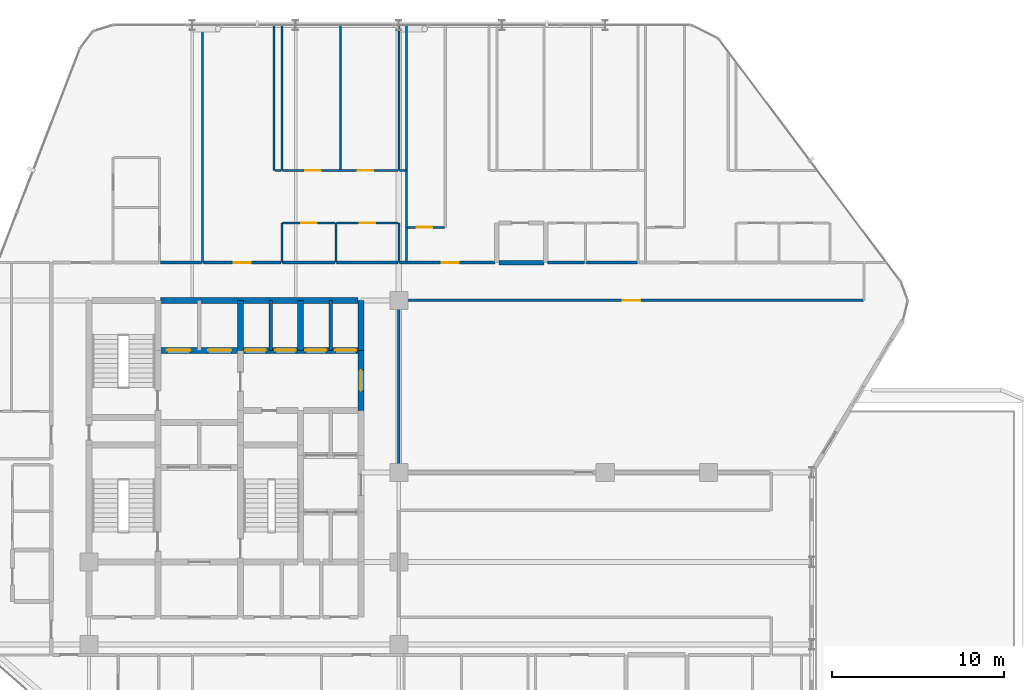
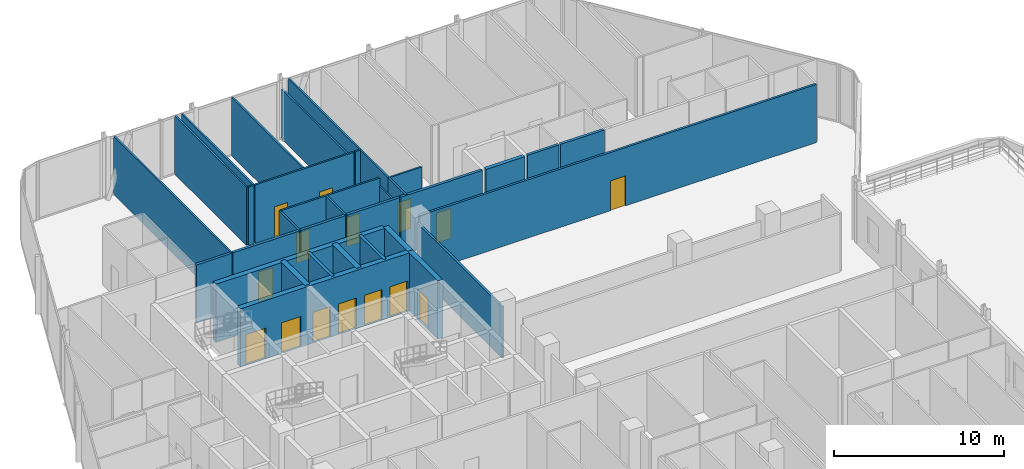
# One storey, part 26 of 30: 35 walls, 15 doors, 15 openings.
"""IFC4 building model written with IfcOpenShell, lengths in metres."""

from ifc_helpers import new_model, si_unit, direction, frame, frame_2d, origin, place, context, subcontext, project, spatial, rectangle, extrude, material, layer, layer_set, type_object, element, fill, save


model = new_model("IFC4")

# Units and contexts
model_context = context("Model", 3, precision=1e-05, world=origin(), true_north=direction((0.0, 1.0)))
body_context = subcontext(model_context, "Body", "Model", "MODEL_VIEW")
ifc_project = project(units=[si_unit("LENGTHUNIT", "METRE"), si_unit("AREAUNIT", "SQUARE_METRE"), si_unit("VOLUMEUNIT", "CUBIC_METRE"), si_unit("PLANEANGLEUNIT", "RADIAN"), si_unit("MASSUNIT", "GRAM", prefix="KILO")], contexts=[model_context])

# Site, building, storey
site_placement = place(None, origin())
site = spatial("IfcSite", under=ifc_project, at=site_placement, CompositionType="ELEMENT")
building_placement = place(site_placement, origin())
building = spatial("IfcBuilding", under=site, at=building_placement, Name="Keshet Zoharim Tower", CompositionType="ELEMENT")
storey_placement = place(building_placement, frame((0.0, 0.0, 86.39990234375)))
storey = spatial("IfcBuildingStorey", under=building, at=storey_placement, Name="L20", CompositionType="ELEMENT", Elevation=86.39990234375)

# Wall
ifc_material_1 = material(Name="Gypsum Plasterboard", Category="gypsum")
ifc_layer_1 = layer(ifc_material_1, 0.14990234375)
ifc_layer_set_1 = layer_set([ifc_layer_1], Name="Gypsum Plasterboard")
wall_type_1 = type_object("IfcWallType", Name="WL-CLIN-150", PredefinedType="STANDARD", material=ifc_layer_set_1)
wall_1_placement = place(storey_placement, frame((33.0, 27.909912109375, 0.0), z_axis=(0.0, 0.0, 1.0), x_axis=(0.0, 1.0, 0.0)))
element("IfcWall", 1, at=wall_1_placement, inside=storey, type_object=wall_type_1, Name="L20 Interior Wall 068", PredefinedType="STANDARD", context=body_context, shape_type="SweptSolid", body=[
    extrude(rectangle(XDim=9.97998046875, YDim=0.14990234375, at=frame_2d((4.989990234375, 0.0))), origin(), (0.0, 0.0, 1.0), 3.68505859375),
])

# Wall, opening, door
wall_2_placement = place(storey_placement, frame((33.070068359375, 37.89990234375, 0.0), z_axis=(0.0, 0.0, 1.0), x_axis=(1.0, 0.0, 0.0)))
wall_2 = element("IfcWall", 2, at=wall_2_placement, inside=storey, type_object=wall_type_1, Name="L20 Interior Wall 181", PredefinedType="STANDARD", context=body_context, shape_type="SweptSolid", body=[
    extrude(rectangle(XDim=26.934814453125, YDim=0.14990234375, at=frame_2d((13.46728515625, 0.0))), origin(), (0.0, 0.0, 1.0), 4.18505859375),
])
opening_1_placement = place(wall_2_placement, frame((12.9599609375, 0.0, 0.0)))
opening_1 = element("IfcOpeningElement", 3, at=opening_1_placement, cuts=wall_2, Name="Opening D-F310", PredefinedType="OPENING", context=body_context, shape_type="SweptSolid", body=[
    extrude(rectangle(XDim=1.0, YDim=2.14990234375, at=frame_2d((0.5, 1.074951171875))), frame((0.0, 0.0849609375, 0.0), z_axis=(0.0, -1.0, 0.0), x_axis=(1.0, 0.0, 0.0)), (0.0, 0.0, 1.0), 0.169921875),
])
ifc_material_2 = material(Name="Hardwood Timber", Category="wood")
door_type_1 = type_object("IfcDoorType", Name="DR-FD30-100", OperationType="NOTDEFINED", PredefinedType="DOOR", material=ifc_material_2)
door_1_placement = place(opening_1_placement, origin())
door_1 = element("IfcDoor", 4, at=door_1_placement, inside=storey, type_object=door_type_1, Name="L20 North East Residents Services Suite Door 1", OperationType="SINGLE_SWING_RIGHT", OverallHeight=2.14990234375, OverallWidth=1.0, PredefinedType="DOOR", context=body_context, shape_type="SweptSolid", body=[
    extrude(rectangle(XDim=1.0, YDim=2.14990234375, at=frame_2d((0.5, 1.074951171875))), frame((0.0, 0.02490234375, 0.0), z_axis=(0.0, -1.0, 0.0), x_axis=(1.0, 0.0, 0.0)), (0.0, 0.0, 1.0), 0.050048828125),
])
fill(opening_1, door_1)

# Walls
ifc_material_3 = material(Name="Concrete C60/75", Category="concrete")
ifc_layer_2 = layer(ifc_material_3, 0.35009765625)
ifc_layer_set_2 = layer_set([ifc_layer_2], Name="Concrete C60/75")
wall_type_2 = type_object("IfcWallType", Name="WL-CORE-350", PredefinedType="SHEAR", material=ifc_layer_set_2)
for number, where, z_axis, x_axis, name in (
    (5, (23.800048828125, 35.0, 0.0), (0.0, 0.0, 1.0), (0.0, 1.0, 0.0), "L20 Core Shear Wall 040"),
    (6, (27.300048828125, 35.0, 0.0), (0.0, 0.0, 1.0), (0.0, 1.0, 0.0), "L20 Core Shear Wall 050"),
):
    element("IfcWall", number, at=place(storey_placement, frame(where, z_axis=z_axis, x_axis=x_axis)), inside=storey, type_object=wall_type_2, Name=name, PredefinedType="SHEAR", context=body_context, shape_type="SweptSolid", body=[
        extrude(rectangle(XDim=2.89990234375, YDim=0.35009765625, at=frame_2d((1.449951171875, 0.0))), origin(), (0.0, 0.0, 1.0), 4.18505859375),
    ])

# Wall, opening, door
wall_3_placement = place(storey_placement, frame((30.800048828125, 31.5, 0.0), z_axis=(0.0, 0.0, 1.0), x_axis=(0.0, 1.0, 0.0)))
wall_3 = element("IfcWall", 7, at=wall_3_placement, inside=storey, type_object=wall_type_2, Name="L20 Core Shear Wall 064", PredefinedType="SHEAR", context=body_context, shape_type="SweptSolid", body=[
    extrude(rectangle(XDim=3.5, YDim=0.35009765625, at=frame_2d((1.75, 0.0))), origin(), (0.0, 0.0, 1.0), 4.18505859375),
])
opening_2_placement = place(wall_3_placement, frame((1.14990234375, 0.0, 0.0)))
opening_2 = element("IfcOpeningElement", 8, at=opening_2_placement, cuts=wall_3, Name="Opening D-F612", PredefinedType="OPENING", context=body_context, shape_type="SweptSolid", body=[
    extrude(rectangle(XDim=1.199951171875, YDim=2.199951171875, at=frame_2d((0.60009765625, 1.10009765625))), frame((0.0, 0.18505859375, 0.0), z_axis=(0.0, -1.0, 0.0), x_axis=(1.0, 0.0, 0.0)), (0.0, 0.0, 1.0), 0.3701171875),
])
door_type_2 = type_object("IfcDoorType", Name="DR-FD60-120", OperationType="NOTDEFINED", PredefinedType="DOOR", material=ifc_material_2)
door_2_placement = place(opening_2_placement, origin())
door_2 = element("IfcDoor", 9, at=door_2_placement, inside=storey, type_object=door_type_2, Name="L20 North Lift Lobby East Fire Door", OperationType="SINGLE_SWING_LEFT", OverallHeight=2.199951171875, OverallWidth=1.199951171875, PredefinedType="DOOR", context=body_context, shape_type="SweptSolid", body=[
    extrude(rectangle(XDim=1.199951171875, YDim=2.199951171875, at=frame_2d((0.60009765625, 1.10009765625))), frame((0.0, 0.02490234375, 0.0), z_axis=(0.0, -1.0, 0.0), x_axis=(1.0, 0.0, 0.0)), (0.0, 0.0, 1.0), 0.050048828125),
])
fill(opening_2, door_2)

# Wall
wall_4_placement = place(storey_placement, frame((30.800048828125, 35.0, 0.0), z_axis=(0.0, 0.0, 1.0), x_axis=(0.0, 1.0, 0.0)))
element("IfcWall", 10, at=wall_4_placement, inside=storey, type_object=wall_type_2, Name="L20 Core Shear Wall 065", PredefinedType="SHEAR", context=body_context, shape_type="SweptSolid", body=[
    extrude(rectangle(XDim=2.89990234375, YDim=0.35009765625, at=frame_2d((1.449951171875, 0.0))), origin(), (0.0, 0.0, 1.0), 4.18505859375),
])

# Wall, openings, doors
wall_5_placement = place(storey_placement, frame((19.159912109375, 35.0, 0.0), z_axis=(0.0, 0.0, 1.0), x_axis=(1.0, 0.0, 0.0)))
wall_5 = element("IfcWall", 11, at=wall_5_placement, inside=storey, type_object=wall_type_2, Name="L20 Core Shear Wall 178", PredefinedType="SHEAR", context=body_context, shape_type="SweptSolid", body=[
    extrude(rectangle(XDim=11.47998046875, YDim=0.35009765625, at=frame_2d((5.739990234375, 0.0))), origin(), (0.0, 0.0, 1.0), 4.18505859375),
])
opening_3_placement = place(wall_5_placement, frame((0.364990234375, 0.0, 0.0)))
opening_3 = element("IfcOpeningElement", 12, at=opening_3_placement, cuts=wall_5, Name="Opening LD-02", PredefinedType="OPENING", context=body_context, shape_type="SweptSolid", body=[
    extrude(rectangle(XDim=1.35009765625, YDim=2.199951171875, at=frame_2d((0.675048828125, 1.10009765625))), frame((0.0, 0.18505859375, 0.0), z_axis=(0.0, -1.0, 0.0), x_axis=(1.0, 0.0, 0.0)), (0.0, 0.0, 1.0), 0.3701171875),
])
opening_4_placement = place(wall_5_placement, frame((2.764892578125, 0.0, 0.0)))
opening_4 = element("IfcOpeningElement", 13, at=opening_4_placement, cuts=wall_5, Name="Opening LD-02", PredefinedType="OPENING", context=body_context, shape_type="SweptSolid", body=[
    extrude(rectangle(XDim=1.35009765625, YDim=2.199951171875, at=frame_2d((0.675048828125, 1.10009765625))), frame((0.0, 0.18505859375, 0.0), z_axis=(0.0, -1.0, 0.0), x_axis=(1.0, 0.0, 0.0)), (0.0, 0.0, 1.0), 0.3701171875),
])
opening_5_placement = place(wall_5_placement, frame((4.9150390625, 0.0, 0.0)))
opening_5 = element("IfcOpeningElement", 14, at=opening_5_placement, cuts=wall_5, Name="Opening LD-03", PredefinedType="OPENING", context=body_context, shape_type="SweptSolid", body=[
    extrude(rectangle(XDim=1.199951171875, YDim=2.199951171875, at=frame_2d((0.60009765625, 1.10009765625))), frame((0.0, 0.18505859375, 0.0), z_axis=(0.0, -1.0, 0.0), x_axis=(1.0, 0.0, 0.0)), (0.0, 0.0, 1.0), 0.3701171875),
])
opening_6_placement = place(wall_5_placement, frame((6.6650390625, 0.0, 0.0)))
opening_6 = element("IfcOpeningElement", 15, at=opening_6_placement, cuts=wall_5, Name="Opening LD-03", PredefinedType="OPENING", context=body_context, shape_type="SweptSolid", body=[
    extrude(rectangle(XDim=1.199951171875, YDim=2.199951171875, at=frame_2d((0.60009765625, 1.10009765625))), frame((0.0, 0.18505859375, 0.0), z_axis=(0.0, -1.0, 0.0), x_axis=(1.0, 0.0, 0.0)), (0.0, 0.0, 1.0), 0.3701171875),
])
opening_7_placement = place(wall_5_placement, frame((8.4150390625, 0.0, 0.0)))
opening_7 = element("IfcOpeningElement", 16, at=opening_7_placement, cuts=wall_5, Name="Opening LD-03", PredefinedType="OPENING", context=body_context, shape_type="SweptSolid", body=[
    extrude(rectangle(XDim=1.199951171875, YDim=2.199951171875, at=frame_2d((0.60009765625, 1.10009765625))), frame((0.0, 0.18505859375, 0.0), z_axis=(0.0, -1.0, 0.0), x_axis=(1.0, 0.0, 0.0)), (0.0, 0.0, 1.0), 0.3701171875),
])
opening_8_placement = place(wall_5_placement, frame((10.159912109375, 0.0, 0.0)))
opening_8 = element("IfcOpeningElement", 17, at=opening_8_placement, cuts=wall_5, Name="Opening LD-03", PredefinedType="OPENING", context=body_context, shape_type="SweptSolid", body=[
    extrude(rectangle(XDim=1.199951171875, YDim=2.199951171875, at=frame_2d((0.60009765625, 1.10009765625))), frame((0.0, 0.18505859375, 0.0), z_axis=(0.0, -1.0, 0.0), x_axis=(1.0, 0.0, 0.0)), (0.0, 0.0, 1.0), 0.3701171875),
])
ifc_material_4 = material(Name="Steel S355", Category="steel")
door_type_3 = type_object("IfcDoorType", Name="DR-LD02-135", OperationType="DOUBLE_DOOR_SLIDING", PredefinedType="DOOR", material=ifc_material_4)
door_3_placement = place(opening_3_placement, origin())
door_3 = element("IfcDoor", 18, at=door_3_placement, inside=storey, type_object=door_type_3, Name="L20 Firefighting Lift Landing Door FF-01", OperationType="DOUBLE_DOOR_SLIDING", OverallHeight=2.199951171875, OverallWidth=1.35009765625, PredefinedType="DOOR", context=body_context, shape_type="SweptSolid", body=[
    extrude(rectangle(XDim=1.35009765625, YDim=2.199951171875, at=frame_2d((0.675048828125, 1.10009765625))), frame((0.0, 0.02490234375, 0.0), z_axis=(0.0, -1.0, 0.0), x_axis=(1.0, 0.0, 0.0)), (0.0, 0.0, 1.0), 0.050048828125),
])
fill(opening_3, door_3)
door_4_placement = place(opening_4_placement, origin())
door_4 = element("IfcDoor", 19, at=door_4_placement, inside=storey, type_object=door_type_3, Name="L20 Firefighting Lift Landing Door FF-02", OperationType="DOUBLE_DOOR_SLIDING", OverallHeight=2.199951171875, OverallWidth=1.35009765625, PredefinedType="DOOR", context=body_context, shape_type="SweptSolid", body=[
    extrude(rectangle(XDim=1.35009765625, YDim=2.199951171875, at=frame_2d((0.675048828125, 1.10009765625))), frame((0.0, 0.02490234375, 0.0), z_axis=(0.0, -1.0, 0.0), x_axis=(1.0, 0.0, 0.0)), (0.0, 0.0, 1.0), 0.050048828125),
])
fill(opening_4, door_4)
door_type_4 = type_object("IfcDoorType", Name="DR-LD03-120", OperationType="DOUBLE_DOOR_SLIDING", PredefinedType="DOOR", material=ifc_material_4)
door_5_placement = place(opening_5_placement, origin())
door_5 = element("IfcDoor", 20, at=door_5_placement, inside=storey, type_object=door_type_4, Name="L20 Passenger Lift Landing Door LF-01", OperationType="DOUBLE_DOOR_SLIDING", OverallHeight=2.199951171875, OverallWidth=1.199951171875, PredefinedType="DOOR", context=body_context, shape_type="SweptSolid", body=[
    extrude(rectangle(XDim=1.199951171875, YDim=2.199951171875, at=frame_2d((0.60009765625, 1.10009765625))), frame((0.0, 0.02490234375, 0.0), z_axis=(0.0, -1.0, 0.0), x_axis=(1.0, 0.0, 0.0)), (0.0, 0.0, 1.0), 0.050048828125),
])
fill(opening_5, door_5)
door_6_placement = place(opening_6_placement, origin())
door_6 = element("IfcDoor", 21, at=door_6_placement, inside=storey, type_object=door_type_4, Name="L20 Passenger Lift Landing Door LF-02", OperationType="DOUBLE_DOOR_SLIDING", OverallHeight=2.199951171875, OverallWidth=1.199951171875, PredefinedType="DOOR", context=body_context, shape_type="SweptSolid", body=[
    extrude(rectangle(XDim=1.199951171875, YDim=2.199951171875, at=frame_2d((0.60009765625, 1.10009765625))), frame((0.0, 0.02490234375, 0.0), z_axis=(0.0, -1.0, 0.0), x_axis=(1.0, 0.0, 0.0)), (0.0, 0.0, 1.0), 0.050048828125),
])
fill(opening_6, door_6)
door_7_placement = place(opening_7_placement, origin())
door_7 = element("IfcDoor", 22, at=door_7_placement, inside=storey, type_object=door_type_4, Name="L20 Passenger Lift Landing Door LF-03", OperationType="DOUBLE_DOOR_SLIDING", OverallHeight=2.199951171875, OverallWidth=1.199951171875, PredefinedType="DOOR", context=body_context, shape_type="SweptSolid", body=[
    extrude(rectangle(XDim=1.199951171875, YDim=2.199951171875, at=frame_2d((0.60009765625, 1.10009765625))), frame((0.0, 0.02490234375, 0.0), z_axis=(0.0, -1.0, 0.0), x_axis=(1.0, 0.0, 0.0)), (0.0, 0.0, 1.0), 0.050048828125),
])
fill(opening_7, door_7)
door_8_placement = place(opening_8_placement, origin())
door_8 = element("IfcDoor", 23, at=door_8_placement, inside=storey, type_object=door_type_4, Name="L20 Passenger Lift Landing Door LF-04", OperationType="DOUBLE_DOOR_SLIDING", OverallHeight=2.199951171875, OverallWidth=1.199951171875, PredefinedType="DOOR", context=body_context, shape_type="SweptSolid", body=[
    extrude(rectangle(XDim=1.199951171875, YDim=2.199951171875, at=frame_2d((0.60009765625, 1.10009765625))), frame((0.0, 0.02490234375, 0.0), z_axis=(0.0, -1.0, 0.0), x_axis=(1.0, 0.0, 0.0)), (0.0, 0.0, 1.0), 0.050048828125),
])
fill(opening_8, door_8)

# Walls
wall_6_placement = place(storey_placement, frame((19.159912109375, 37.89990234375, 0.0), z_axis=(0.0, 0.0, 1.0), x_axis=(1.0, 0.0, 0.0)))
element("IfcWall", 24, at=wall_6_placement, inside=storey, type_object=wall_type_2, Name="L20 Core Shear Wall 180", PredefinedType="SHEAR", context=body_context, shape_type="SweptSolid", body=[
    extrude(rectangle(XDim=11.47998046875, YDim=0.35009765625, at=frame_2d((5.739990234375, 0.0))), origin(), (0.0, 0.0, 1.0), 4.18505859375),
])
ifc_layer_3 = layer(ifc_material_1, 0.179931640625)
ifc_layer_set_3 = layer_set([ifc_layer_3], Name="Gypsum Plasterboard")
wall_type_3 = type_object("IfcWallType", Name="WL-CORR-180", PredefinedType="STANDARD", material=ifc_layer_set_3)
wall_7_placement = place(storey_placement, frame((19.155029296875, 40.10009765625, 0.0), z_axis=(0.0, 0.0, 1.0), x_axis=(1.0, 0.0, 0.0)))
element("IfcWall", 25, at=wall_7_placement, inside=storey, type_object=wall_type_3, Name="L20 Interior Wall 186", PredefinedType="STANDARD", context=body_context, shape_type="SweptSolid", body=[
    extrude(rectangle(XDim=2.409912109375, YDim=0.179931640625, at=frame_2d((1.205078125, 0.0))), origin(), (0.0, 0.0, 1.0), 4.18505859375),
])

# Wall, opening, door
wall_8_placement = place(storey_placement, frame((21.655029296875, 40.10009765625, 0.0), z_axis=(0.0, 0.0, 1.0), x_axis=(1.0, 0.0, 0.0)))
wall_8 = element("IfcWall", 26, at=wall_8_placement, inside=storey, type_object=wall_type_3, Name="L20 Interior Wall 187", PredefinedType="STANDARD", context=body_context, shape_type="SweptSolid", body=[
    extrude(rectangle(XDim=4.510009765625, YDim=0.179931640625, at=frame_2d((2.2548828125, 0.0))), origin(), (0.0, 0.0, 1.0), 4.18505859375),
])
opening_9_placement = place(wall_8_placement, frame((1.7548828125, 0.0, 0.0)))
opening_9 = element("IfcOpeningElement", 27, at=opening_9_placement, cuts=wall_8, Name="Opening D-F310", PredefinedType="OPENING", context=body_context, shape_type="SweptSolid", body=[
    extrude(rectangle(XDim=1.0, YDim=2.14990234375, at=frame_2d((0.5, 1.074951171875))), frame((0.0, 0.10009765625, 0.0), z_axis=(0.0, -1.0, 0.0), x_axis=(1.0, 0.0, 0.0)), (0.0, 0.0, 1.0), 0.199951171875),
])
door_9_placement = place(opening_9_placement, origin())
door_9 = element("IfcDoor", 28, at=door_9_placement, inside=storey, type_object=door_type_1, Name="Apartment 2005 Entrance Door", OperationType="SINGLE_SWING_RIGHT", OverallHeight=2.14990234375, OverallWidth=1.0, PredefinedType="DOOR", context=body_context, shape_type="SweptSolid", body=[
    extrude(rectangle(XDim=1.0, YDim=2.14990234375, at=frame_2d((0.5, 1.074951171875))), frame((0.0, 0.02490234375, 0.0), z_axis=(0.0, -1.0, 0.0), x_axis=(1.0, 0.0, 0.0)), (0.0, 0.0, 1.0), 0.050048828125),
])
fill(opening_9, door_9)

# Walls
wall_9_placement = place(storey_placement, frame((26.2548828125, 40.10009765625, 0.0), z_axis=(0.0, 0.0, 1.0), x_axis=(1.0, 0.0, 0.0)))
element("IfcWall", 29, at=wall_9_placement, inside=storey, type_object=wall_type_3, Name="L20 Interior Wall 188", PredefinedType="STANDARD", context=body_context, shape_type="SweptSolid", body=[
    extrude(rectangle(XDim=3.0380859375, YDim=0.179931640625, at=frame_2d((1.51904296875, 0.0))), origin(), (0.0, 0.0, 1.0), 4.18505859375),
])
wall_10_placement = place(storey_placement, frame((29.383056640625, 40.10009765625, 0.0), z_axis=(0.0, 0.0, 1.0), x_axis=(1.0, 0.0, 0.0)))
element("IfcWall", 30, at=wall_10_placement, inside=storey, type_object=wall_type_3, Name="L20 Interior Wall 189", PredefinedType="STANDARD", context=body_context, shape_type="SweptSolid", body=[
    extrude(rectangle(XDim=3.58203125, YDim=0.179931640625, at=frame_2d((1.791015625, 0.0))), origin(), (0.0, 0.0, 1.0), 4.18505859375),
])

# Wall, opening, door
wall_11_placement = place(storey_placement, frame((33.054931640625, 40.10009765625, 0.0), z_axis=(0.0, 0.0, 1.0), x_axis=(1.0, 0.0, 0.0)))
wall_11 = element("IfcWall", 31, at=wall_11_placement, inside=storey, type_object=wall_type_3, Name="L20 Interior Wall 190", PredefinedType="STANDARD", context=body_context, shape_type="SweptSolid", body=[
    extrude(rectangle(XDim=5.545166015625, YDim=0.179931640625, at=frame_2d((2.7724609375, 0.0))), origin(), (0.0, 0.0, 1.0), 4.18505859375),
])
opening_10_placement = place(wall_11_placement, frame((2.43505859375, 0.0, 0.0)))
opening_10 = element("IfcOpeningElement", 32, at=opening_10_placement, cuts=wall_11, Name="Opening D-F310", PredefinedType="OPENING", context=body_context, shape_type="SweptSolid", body=[
    extrude(rectangle(XDim=1.0, YDim=2.14990234375, at=frame_2d((0.5, 1.074951171875))), frame((0.0, 0.10009765625, 0.0), z_axis=(0.0, -1.0, 0.0), x_axis=(1.0, 0.0, 0.0)), (0.0, 0.0, 1.0), 0.199951171875),
])
door_10_placement = place(opening_10_placement, origin())
door_10 = element("IfcDoor", 33, at=door_10_placement, inside=storey, type_object=door_type_1, Name="Apartment 2006 Entrance Door", OperationType="SINGLE_SWING_LEFT", OverallHeight=2.14990234375, OverallWidth=1.0, PredefinedType="DOOR", context=body_context, shape_type="SweptSolid", body=[
    extrude(rectangle(XDim=1.0, YDim=2.14990234375, at=frame_2d((0.5, 1.074951171875))), frame((0.0, 0.02490234375, 0.0), z_axis=(0.0, -1.0, 0.0), x_axis=(1.0, 0.0, 0.0)), (0.0, 0.0, 1.0), 0.050048828125),
])
fill(opening_10, door_10)

# Walls
wall_12_placement = place(storey_placement, frame((41.656982421875, 40.10009765625, 0.0), z_axis=(0.0, 0.0, 1.0), x_axis=(1.0, 0.0, 0.0)))
element("IfcWall", 34, at=wall_12_placement, inside=storey, type_object=wall_type_3, Name="L20 Interior Wall 192", PredefinedType="STANDARD", context=body_context, shape_type="SweptSolid", body=[
    extrude(rectangle(XDim=2.14111328125, YDim=0.179931640625, at=frame_2d((1.070556640625, 0.0))), origin(), (0.0, 0.0, 1.0), 4.18505859375),
])
wall_13_placement = place(storey_placement, frame((43.887939453125, 40.10009765625, 0.0), z_axis=(0.0, 0.0, 1.0), x_axis=(1.0, 0.0, 0.0)))
element("IfcWall", 35, at=wall_13_placement, inside=storey, type_object=wall_type_3, Name="L20 Interior Wall 193", PredefinedType="STANDARD", context=body_context, shape_type="SweptSolid", body=[
    extrude(rectangle(XDim=2.97705078125, YDim=0.179931640625, at=frame_2d((1.488525390625, 0.0))), origin(), (0.0, 0.0, 1.0), 4.18505859375),
])
ifc_material_5 = material(Name="Concrete C50/60", Category="concrete")
ifc_layer_4 = layer(ifc_material_5, 0.199951171875)
ifc_layer_set_4 = layer_set([ifc_layer_4], Name="Concrete C50/60")
wall_type_4 = type_object("IfcWallType", Name="WL-FIRE-200", PredefinedType="STANDARD", material=ifc_layer_set_4)
for number, where, z_axis, x_axis, name in (
    (36, (25.550048828125, 35.0, 0.0), (0.0, 0.0, 1.0), (0.0, 1.0, 0.0), "L20 Interior Wall 041"),
    (37, (29.050048828125, 35.0, 0.0), (0.0, 0.0, 1.0), (0.0, 1.0, 0.0), "L20 Interior Wall 056"),
):
    element("IfcWall", number, at=place(storey_placement, frame(where, z_axis=z_axis, x_axis=x_axis)), inside=storey, type_object=wall_type_4, Name=name, PredefinedType="STANDARD", context=body_context, shape_type="SweptSolid", body=[
        extrude(rectangle(XDim=2.89990234375, YDim=0.199951171875, at=frame_2d((1.449951171875, 0.0))), origin(), (0.0, 0.0, 1.0), 4.18505859375),
    ])
ifc_layer_5 = layer(ifc_material_5, 0.25)
ifc_layer_set_5 = layer_set([ifc_layer_5], Name="Concrete C50/60")
wall_type_5 = type_object("IfcWallType", Name="WL-MAMAD-250", PredefinedType="STANDARD", material=ifc_layer_set_5)
wall_14_placement = place(storey_placement, frame((38.820068359375, 40.10009765625, 0.0), z_axis=(0.0, 0.0, 1.0), x_axis=(1.0, 0.0, 0.0)))
element("IfcWall", 38, at=wall_14_placement, inside=storey, type_object=wall_type_5, Name="L20 Interior Wall 191", PredefinedType="STANDARD", context=body_context, shape_type="SweptSolid", body=[
    extrude(rectangle(XDim=2.616943359375, YDim=0.25, at=frame_2d((1.30859375, 0.0))), origin(), (0.0, 0.0, 1.0), 4.18505859375),
])
ifc_layer_6 = layer(ifc_material_1, 0.1201171875)
ifc_layer_set_6 = layer_set([ifc_layer_6], Name="Gypsum Plasterboard")
wall_type_6 = type_object("IfcWallType", Name="WL-PART-120", PredefinedType="PARTITIONING", material=ifc_layer_set_6)
wall_15_placement = place(storey_placement, frame((21.60009765625, 40.10009765625, 0.0), z_axis=(0.0, 0.0, 1.0), x_axis=(0.0, 1.0, 0.0)))
element("IfcWall", 39, at=wall_15_placement, inside=storey, type_object=wall_type_6, Name="L20 Interior Wall 033", PredefinedType="PARTITIONING", context=body_context, shape_type="SweptSolid", body=[
    extrude(rectangle(XDim=13.789794921875, YDim=0.1201171875, at=frame_2d((6.89501953125, 0.0))), origin(), (0.0, 0.0, 1.0), 4.18505859375),
])
wall_16_placement = place(storey_placement, frame((25.75, 45.449951171875, 0.0), z_axis=(0.0, 0.0, 1.0), x_axis=(0.0, 1.0, 0.0)))
element("IfcWall", 40, at=wall_16_placement, inside=storey, type_object=wall_type_6, Name="L20 Interior Wall 042", PredefinedType="PARTITIONING", context=body_context, shape_type="SweptSolid", body=[
    extrude(rectangle(XDim=8.43994140625, YDim=0.1201171875, at=frame_2d((4.219970703125, 0.0))), origin(), (0.0, 0.0, 1.0), 4.18505859375),
])
wall_17_placement = place(storey_placement, frame((26.199951171875, 40.10009765625, 0.0), z_axis=(0.0, 0.0, 1.0), x_axis=(0.0, 1.0, 0.0)))
element("IfcWall", 41, at=wall_17_placement, inside=storey, type_object=wall_type_6, Name="L20 Interior Wall 044", PredefinedType="PARTITIONING", context=body_context, shape_type="SweptSolid", body=[
    extrude(rectangle(XDim=2.2998046875, YDim=0.1201171875, at=frame_2d((1.14990234375, 0.0))), origin(), (0.0, 0.0, 1.0), 4.18505859375),
])
for number, where, z_axis, x_axis, name in (
    (42, (26.199951171875, 45.449951171875, 0.0), (0.0, 0.0, 1.0), (0.0, 1.0, 0.0), "L20 Interior Wall 045"),
    (43, (29.60009765625, 45.449951171875, 0.0), (0.0, 0.0, 1.0), (0.0, 1.0, 0.0), "L20 Interior Wall 058"),
):
    element("IfcWall", number, at=place(storey_placement, frame(where, z_axis=z_axis, x_axis=x_axis)), inside=storey, type_object=wall_type_6, Name=name, PredefinedType="PARTITIONING", context=body_context, shape_type="SweptSolid", body=[
        extrude(rectangle(XDim=8.43994140625, YDim=0.1201171875, at=frame_2d((4.219970703125, 0.0))), origin(), (0.0, 0.0, 1.0), 4.18505859375),
    ])
wall_18_placement = place(storey_placement, frame((33.0, 45.449951171875, 0.0), z_axis=(0.0, 0.0, 1.0), x_axis=(0.0, 1.0, 0.0)))
element("IfcWall", 44, at=wall_18_placement, inside=storey, type_object=wall_type_6, Name="L20 Interior Wall 070", PredefinedType="PARTITIONING", context=body_context, shape_type="SweptSolid", body=[
    extrude(rectangle(XDim=8.43994140625, YDim=0.1201171875, at=frame_2d((4.219970703125, 0.0))), origin(), (0.0, 0.0, 1.0), 3.585205078125),
])
wall_19_placement = place(storey_placement, frame((33.449951171875, 40.10009765625, 0.0), z_axis=(0.0, 0.0, 1.0), x_axis=(0.0, 1.0, 0.0)))
element("IfcWall", 45, at=wall_19_placement, inside=storey, type_object=wall_type_6, Name="L20 Interior Wall 073", PredefinedType="PARTITIONING", context=body_context, shape_type="SweptSolid", body=[
    extrude(rectangle(XDim=2.0498046875, YDim=0.1201171875, at=frame_2d((1.02490234375, 0.0))), origin(), (0.0, 0.0, 1.0), 4.18505859375),
])
wall_20_placement = place(storey_placement, frame((33.449951171875, 42.14990234375, 0.0), z_axis=(0.0, 0.0, 1.0), x_axis=(0.0, 1.0, 0.0)))
element("IfcWall", 46, at=wall_20_placement, inside=storey, type_object=wall_type_6, Name="L20 Interior Wall 074", PredefinedType="PARTITIONING", context=body_context, shape_type="SweptSolid", body=[
    extrude(rectangle(XDim=3.300048828125, YDim=0.1201171875, at=frame_2d((1.64990234375, 0.0))), origin(), (0.0, 0.0, 1.0), 4.18505859375),
])
wall_21_placement = place(storey_placement, frame((33.449951171875, 45.449951171875, 0.0), z_axis=(0.0, 0.0, 1.0), x_axis=(0.0, 1.0, 0.0)))
element("IfcWall", 47, at=wall_21_placement, inside=storey, type_object=wall_type_6, Name="L20 Interior Wall 075", PredefinedType="PARTITIONING", context=body_context, shape_type="SweptSolid", body=[
    extrude(rectangle(XDim=8.43994140625, YDim=0.1201171875, at=frame_2d((4.219970703125, 0.0))), origin(), (0.0, 0.0, 1.0), 4.18505859375),
])

# Wall, opening, door
wall_22_placement = place(storey_placement, frame((33.5048828125, 42.14990234375, 0.0), z_axis=(0.0, 0.0, 1.0), x_axis=(1.0, 0.0, 0.0)))
wall_22 = element("IfcWall", 48, at=wall_22_placement, inside=storey, type_object=wall_type_6, Name="L20 Interior Wall 200", PredefinedType="PARTITIONING", context=body_context, shape_type="SweptSolid", body=[
    extrude(rectangle(XDim=2.16015625, YDim=0.1201171875, at=frame_2d((1.080078125, 0.0))), origin(), (0.0, 0.0, 1.0), 4.18505859375),
])
opening_11_placement = place(wall_22_placement, frame((0.552978515625, 0.0, 0.0)))
opening_11 = element("IfcOpeningElement", 49, at=opening_11_placement, cuts=wall_22, Name="Opening D-IN90", PredefinedType="OPENING", context=body_context, shape_type="SweptSolid", body=[
    extrude(rectangle(XDim=0.89990234375, YDim=2.14990234375, at=frame_2d((0.449951171875, 1.074951171875))), frame((0.0, 0.070068359375, 0.0), z_axis=(0.0, -1.0, 0.0), x_axis=(1.0, 0.0, 0.0)), (0.0, 0.0, 1.0), 0.14013671875),
])
door_type_5 = type_object("IfcDoorType", Name="DR-INT-090", OperationType="NOTDEFINED", PredefinedType="DOOR", material=ifc_material_2)
door_11_placement = place(opening_11_placement, origin())
door_11 = element("IfcDoor", 50, at=door_11_placement, inside=storey, type_object=door_type_5, Name="Apartment 2006 Formal Dining Room Door", OperationType="SINGLE_SWING_LEFT", OverallHeight=2.14990234375, OverallWidth=0.89990234375, PredefinedType="DOOR", context=body_context, shape_type="SweptSolid", body=[
    extrude(rectangle(XDim=0.89990234375, YDim=2.14990234375, at=frame_2d((0.449951171875, 1.074951171875))), frame((0.0, 0.02490234375, 0.0), z_axis=(0.0, -1.0, 0.0), x_axis=(1.0, 0.0, 0.0)), (0.0, 0.0, 1.0), 0.050048828125),
])
fill(opening_11, door_11)

wall_23_placement = place(storey_placement, frame((26.2548828125, 42.39990234375, 0.0), z_axis=(0.0, 0.0, 1.0), x_axis=(1.0, 0.0, 0.0)))
wall_23 = element("IfcWall", 51, at=wall_23_placement, inside=storey, type_object=wall_type_6, Name="L20 Interior Wall 202", PredefinedType="PARTITIONING", context=body_context, shape_type="SweptSolid", body=[
    extrude(rectangle(XDim=3.0380859375, YDim=0.1201171875, at=frame_2d((1.51904296875, 0.0))), origin(), (0.0, 0.0, 1.0), 4.18505859375),
])
opening_12_placement = place(wall_23_placement, frame((1.069091796875, 0.0, 0.0)))
opening_12 = element("IfcOpeningElement", 52, at=opening_12_placement, cuts=wall_23, Name="Opening D-IN90", PredefinedType="OPENING", context=body_context, shape_type="SweptSolid", body=[
    extrude(rectangle(XDim=0.89990234375, YDim=2.14990234375, at=frame_2d((0.449951171875, 1.074951171875))), frame((0.0, 0.070068359375, 0.0), z_axis=(0.0, -1.0, 0.0), x_axis=(1.0, 0.0, 0.0)), (0.0, 0.0, 1.0), 0.14013671875),
])
door_12_placement = place(opening_12_placement, origin())
door_12 = element("IfcDoor", 53, at=door_12_placement, inside=storey, type_object=door_type_5, Name="Apartment 2005 Kitchen Door", OperationType="SINGLE_SWING_LEFT", OverallHeight=2.14990234375, OverallWidth=0.89990234375, PredefinedType="DOOR", context=body_context, shape_type="SweptSolid", body=[
    extrude(rectangle(XDim=0.89990234375, YDim=2.14990234375, at=frame_2d((0.449951171875, 1.074951171875))), frame((0.0, 0.02490234375, 0.0), z_axis=(0.0, -1.0, 0.0), x_axis=(1.0, 0.0, 0.0)), (0.0, 0.0, 1.0), 0.050048828125),
])
fill(opening_12, door_12)

# Wall
wall_24_placement = place(storey_placement, frame((25.804931640625, 45.449951171875, 0.0), z_axis=(0.0, 0.0, 1.0), x_axis=(1.0, 0.0, 0.0)))
element("IfcWall", 54, at=wall_24_placement, inside=storey, type_object=wall_type_6, Name="L20 Interior Wall 210", PredefinedType="PARTITIONING", context=body_context, shape_type="SweptSolid", body=[
    extrude(rectangle(XDim=0.360107421875, YDim=0.1201171875, at=frame_2d((0.18017578125, 0.0))), origin(), (0.0, 0.0, 1.0), 4.18505859375),
])

# Wall, openings, doors
wall_25_placement = place(storey_placement, frame((26.2548828125, 45.449951171875, 0.0), z_axis=(0.0, 0.0, 1.0), x_axis=(1.0, 0.0, 0.0)))
wall_25 = element("IfcWall", 55, at=wall_25_placement, inside=storey, type_object=wall_type_6, Name="L20 Interior Wall 211", PredefinedType="PARTITIONING", context=body_context, shape_type="SweptSolid", body=[
    extrude(rectangle(XDim=6.710205078125, YDim=0.1201171875, at=frame_2d((3.35498046875, 0.0))), origin(), (0.0, 0.0, 1.0), 4.18505859375),
])
opening_13_placement = place(wall_25_placement, frame((1.305908203125, 0.0, 0.0)))
opening_13 = element("IfcOpeningElement", 56, at=opening_13_placement, cuts=wall_25, Name="Opening D-IN90", PredefinedType="OPENING", context=body_context, shape_type="SweptSolid", body=[
    extrude(rectangle(XDim=0.89990234375, YDim=2.14990234375, at=frame_2d((0.449951171875, 1.074951171875))), frame((0.0, 0.070068359375, 0.0), z_axis=(0.0, -1.0, 0.0), x_axis=(1.0, 0.0, 0.0)), (0.0, 0.0, 1.0), 0.14013671875),
])
opening_14_placement = place(wall_25_placement, frame((4.35595703125, 0.0, 0.0)))
opening_14 = element("IfcOpeningElement", 57, at=opening_14_placement, cuts=wall_25, Name="Opening D-IN90", PredefinedType="OPENING", context=body_context, shape_type="SweptSolid", body=[
    extrude(rectangle(XDim=0.89990234375, YDim=2.14990234375, at=frame_2d((0.449951171875, 1.074951171875))), frame((0.0, 0.070068359375, 0.0), z_axis=(0.0, -1.0, 0.0), x_axis=(1.0, 0.0, 0.0)), (0.0, 0.0, 1.0), 0.14013671875),
])
door_13_placement = place(opening_13_placement, origin())
door_13 = element("IfcDoor", 58, at=door_13_placement, inside=storey, type_object=door_type_5, Name="Apartment 2005 Bedroom 1 Door", OperationType="SINGLE_SWING_RIGHT", OverallHeight=2.14990234375, OverallWidth=0.89990234375, PredefinedType="DOOR", context=body_context, shape_type="SweptSolid", body=[
    extrude(rectangle(XDim=0.89990234375, YDim=2.14990234375, at=frame_2d((0.449951171875, 1.074951171875))), frame((0.0, 0.02490234375, 0.0), z_axis=(0.0, -1.0, 0.0), x_axis=(1.0, 0.0, 0.0)), (0.0, 0.0, 1.0), 0.050048828125),
])
fill(opening_13, door_13)
door_14_placement = place(opening_14_placement, origin())
door_14 = element("IfcDoor", 59, at=door_14_placement, inside=storey, type_object=door_type_5, Name="Apartment 2005 Bedroom 2 Door", OperationType="SINGLE_SWING_LEFT", OverallHeight=2.14990234375, OverallWidth=0.89990234375, PredefinedType="DOOR", context=body_context, shape_type="SweptSolid", body=[
    extrude(rectangle(XDim=0.89990234375, YDim=2.14990234375, at=frame_2d((0.449951171875, 1.074951171875))), frame((0.0, 0.02490234375, 0.0), z_axis=(0.0, -1.0, 0.0), x_axis=(1.0, 0.0, 0.0)), (0.0, 0.0, 1.0), 0.050048828125),
])
fill(opening_14, door_14)

# Walls
wall_26_placement = place(storey_placement, frame((33.054931640625, 45.449951171875, 0.0), z_axis=(0.0, 0.0, 1.0), x_axis=(1.0, 0.0, 0.0)))
element("IfcWall", 60, at=wall_26_placement, inside=storey, type_object=wall_type_6, Name="L20 Interior Wall 212", PredefinedType="PARTITIONING", context=body_context, shape_type="SweptSolid", body=[
    extrude(rectangle(XDim=0.360107421875, YDim=0.1201171875, at=frame_2d((0.18017578125, 0.0))), origin(), (0.0, 0.0, 1.0), 4.18505859375),
])
ifc_layer_7 = layer(ifc_material_1, 0.1201171875)
ifc_layer_set_7 = layer_set([ifc_layer_7], Name="Gypsum Plasterboard")
wall_type_7 = type_object("IfcWallType", Name="WL-WET-120", PredefinedType="PARTITIONING", material=ifc_layer_set_7)
wall_27_placement = place(storey_placement, frame((29.35009765625, 40.10009765625, 0.0), z_axis=(0.0, 0.0, 1.0), x_axis=(0.0, 1.0, 0.0)))
element("IfcWall", 61, at=wall_27_placement, inside=storey, type_object=wall_type_7, Name="L20 Interior Wall 057", PredefinedType="PARTITIONING", context=body_context, shape_type="SweptSolid", body=[
    extrude(rectangle(XDim=2.2998046875, YDim=0.1201171875, at=frame_2d((1.14990234375, 0.0))), origin(), (0.0, 0.0, 1.0), 4.18505859375),
])
wall_28_placement = place(storey_placement, frame((33.0, 40.10009765625, 0.0), z_axis=(0.0, 0.0, 1.0), x_axis=(0.0, 1.0, 0.0)))
element("IfcWall", 62, at=wall_28_placement, inside=storey, type_object=wall_type_7, Name="L20 Interior Wall 069", PredefinedType="PARTITIONING", context=body_context, shape_type="SweptSolid", body=[
    extrude(rectangle(XDim=2.2998046875, YDim=0.1201171875, at=frame_2d((1.14990234375, 0.0))), origin(), (0.0, 0.0, 1.0), 3.585205078125),
])

# Wall, opening, door
wall_29_placement = place(storey_placement, frame((29.383056640625, 42.39990234375, 0.0), z_axis=(0.0, 0.0, 1.0), x_axis=(1.0, 0.0, 0.0)))
wall_29 = element("IfcWall", 63, at=wall_29_placement, inside=storey, type_object=wall_type_7, Name="L20 Interior Wall 203", PredefinedType="PARTITIONING", context=body_context, shape_type="SweptSolid", body=[
    extrude(rectangle(XDim=3.58203125, YDim=0.1201171875, at=frame_2d((1.791015625, 0.0))), origin(), (0.0, 0.0, 1.0), 4.18505859375),
])
opening_15_placement = place(wall_29_placement, frame((1.341064453125, 0.0, 0.0)))
opening_15 = element("IfcOpeningElement", 64, at=opening_15_placement, cuts=wall_29, Name="Opening D-WT90", PredefinedType="OPENING", context=body_context, shape_type="SweptSolid", body=[
    extrude(rectangle(XDim=0.89990234375, YDim=2.10009765625, at=frame_2d((0.449951171875, 1.050048828125))), frame((0.0, 0.070068359375, 0.0), z_axis=(0.0, -1.0, 0.0), x_axis=(1.0, 0.0, 0.0)), (0.0, 0.0, 1.0), 0.14013671875),
])
door_type_6 = type_object("IfcDoorType", Name="DR-WET-090", OperationType="NOTDEFINED", PredefinedType="DOOR", material=ifc_material_2)
door_15_placement = place(opening_15_placement, origin())
door_15 = element("IfcDoor", 65, at=door_15_placement, inside=storey, type_object=door_type_6, Name="Apartment 2005 Bathroom Door", OperationType="SINGLE_SWING_RIGHT", OverallHeight=2.10009765625, OverallWidth=0.89990234375, PredefinedType="DOOR", context=body_context, shape_type="SweptSolid", body=[
    extrude(rectangle(XDim=0.89990234375, YDim=2.10009765625, at=frame_2d((0.449951171875, 1.050048828125))), frame((0.0, 0.02490234375, 0.0), z_axis=(0.0, -1.0, 0.0), x_axis=(1.0, 0.0, 0.0)), (0.0, 0.0, 1.0), 0.050048828125),
])
fill(opening_15, door_15)

save(model, "model.ifc")
